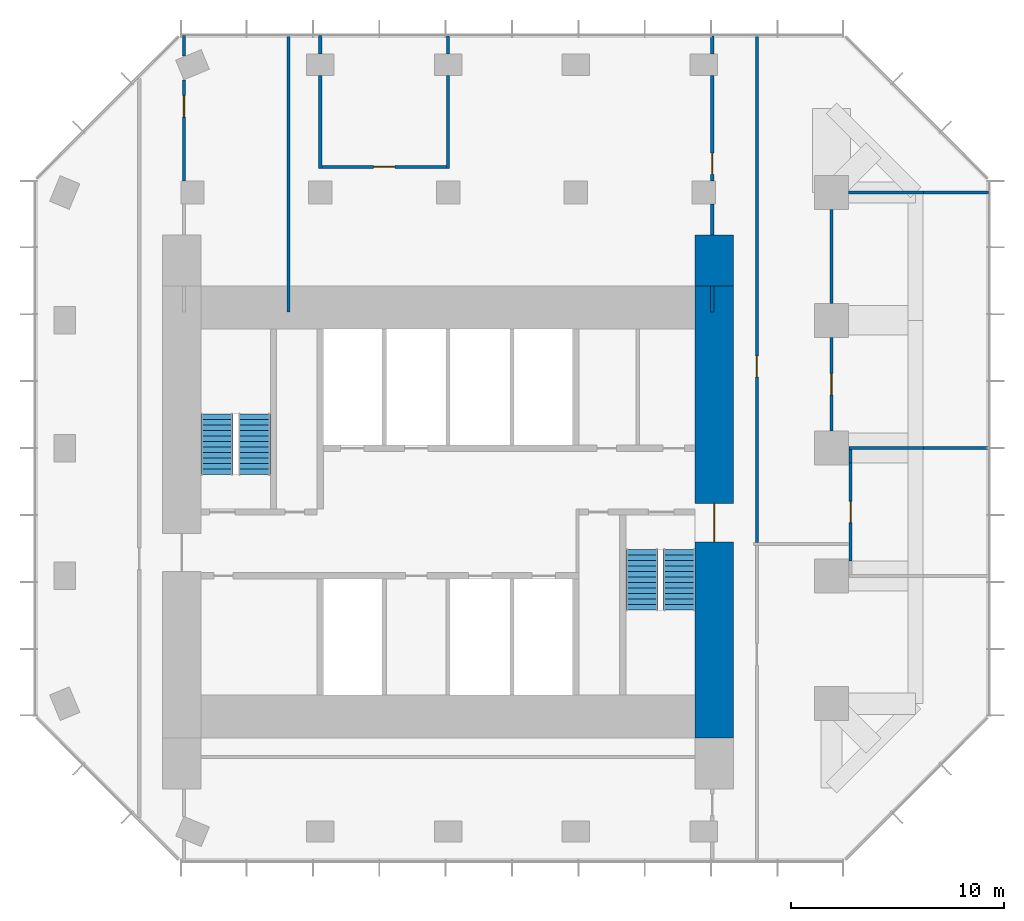
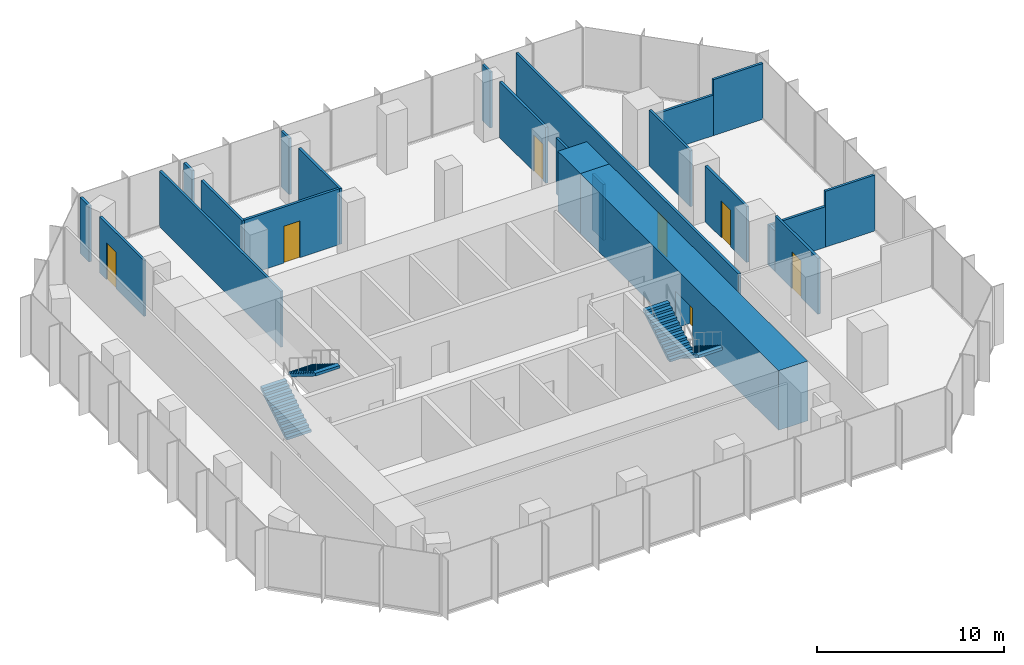
# One storey, part 9 of 10: 23 walls, 7 doors, 4 stair flights, 7 openings, 2 elements without a shape of their own.
"""IFC4 building model written with IfcOpenShell, lengths in metres."""

from ifc_helpers import new_model, si_unit, direction, frame, frame_2d, origin, place, context, subcontext, project, spatial, polyline, rectangle, outline, extrude, material, layer, layer_set, type_object, element, fill, aggregate, save


model = new_model("IFC4")

# Units and contexts
model_context = context("Model", 3, precision=1e-05, world=origin(), true_north=direction((0.0, 1.0)))
body_context = subcontext(model_context, "Body", "Model", "MODEL_VIEW")
ifc_project = project(units=[si_unit("LENGTHUNIT", "METRE"), si_unit("AREAUNIT", "SQUARE_METRE"), si_unit("VOLUMEUNIT", "CUBIC_METRE"), si_unit("PLANEANGLEUNIT", "RADIAN"), si_unit("MASSUNIT", "GRAM", prefix="KILO")], contexts=[model_context])

# Site, building, storey
site_placement = place(None, origin())
site = spatial("IfcSite", under=ifc_project, at=site_placement, CompositionType="ELEMENT")
building_placement = place(site_placement, origin())
building = spatial("IfcBuilding", under=site, at=building_placement, Name="Highveld Stack Headquarters", CompositionType="ELEMENT")
storey_placement = place(building_placement, frame((0.0, 0.0, 256.699951171875)))
storey = spatial("IfcBuildingStorey", under=building, at=storey_placement, Name="L63", CompositionType="ELEMENT", Elevation=256.699951171875)

# Wall, opening, door
ifc_material_1 = material(Name="Concrete C60/75", Category="concrete")
ifc_layer_1 = layer(ifc_material_1, 1.800048828125)
ifc_layer_set_1 = layer_set([ifc_layer_1], Name="Concrete C60/75")
wall_type_1 = type_object("IfcWallType", Name="CORE WALL 1800 C60/75", PredefinedType="SHEAR", material=ifc_layer_set_1)
wall_1_placement = place(storey_placement, frame((18.5, -7.60009765625, 0.0), z_axis=(0.0, 0.0, 1.0), x_axis=(0.0, 1.0, 0.0)))
wall_1 = element("IfcWall", 1, at=wall_1_placement, inside=storey, type_object=wall_type_1, Name="Core wall E L63", PredefinedType="SHEAR", context=body_context, shape_type="SweptSolid", body=[
    extrude(rectangle(XDim=21.2001953125, YDim=1.800048828125, at=frame_2d((10.60009765625, 0.0))), origin(), (0.0, 0.0, 1.0), 3.900146484375),
])
opening_1_placement = place(wall_1_placement, frame((9.199951171875, 0.0, 0.0)))
opening_1 = element("IfcOpeningElement", 2, at=opening_1_placement, cuts=wall_1, Name="Opening L63-02", PredefinedType="OPENING", context=body_context, shape_type="SweptSolid", body=[
    extrude(rectangle(XDim=1.800048828125, YDim=2.39990234375, at=frame_2d((0.89990234375, 1.199951171875))), frame((0.0, 0.909912109375, 0.0), z_axis=(0.0, -1.0, 0.0), x_axis=(1.0, 0.0, 0.0)), (0.0, 0.0, 1.0), 1.820068359375),
])
ifc_material_2 = material(Name="Steel fire door", Category="steel")
door_type_1 = type_object("IfcDoorType", Name="LOBBY FIRE DOOR D4 1800x2400", OperationType="DOUBLE_DOOR_SINGLE_SWING", PredefinedType="DOOR", material=ifc_material_2)
door_1_placement = place(opening_1_placement, origin())
door_1 = element("IfcDoor", 3, at=door_1_placement, inside=storey, type_object=door_type_1, Name="Core east door L63", OperationType="DOUBLE_DOOR_SINGLE_SWING", OverallHeight=2.39990234375, OverallWidth=1.800048828125, PredefinedType="DOOR", context=body_context, shape_type="SweptSolid", body=[
    extrude(rectangle(XDim=1.800048828125, YDim=2.39990234375, at=frame_2d((0.89990234375, 1.199951171875))), frame((0.0, 0.02490234375, 0.0), z_axis=(0.0, -1.0, 0.0), x_axis=(1.0, 0.0, 0.0)), (0.0, 0.0, 1.0), 0.050048828125),
])
fill(opening_1, door_1)

# Wall
ifc_material_3 = material(Name="Concrete C60/75", Category="concrete")
ifc_layer_2 = layer(ifc_material_3, 1.800048828125)
ifc_layer_set_2 = layer_set([ifc_layer_2], Name="Concrete C60/75")
wall_type_2 = type_object("IfcWallType", Name="CORE WING WALL 1800 C60/75", PredefinedType="SHEAR", material=ifc_layer_set_2)
wall_2_placement = place(storey_placement, frame((18.5, 13.60009765625, 0.0), z_axis=(0.0, 0.0, 1.0), x_axis=(0.0, 1.0, 0.0)))
element("IfcWall", 4, at=wall_2_placement, inside=storey, type_object=wall_type_2, Name="Core wing wall EN L63", PredefinedType="SHEAR", context=body_context, shape_type="SweptSolid", body=[
    extrude(rectangle(XDim=2.39990234375, YDim=1.800048828125, at=frame_2d((1.199951171875, 0.0))), origin(), (0.0, 0.0, 1.0), 3.900146484375),
])

# Wall, opening, door
ifc_material_4 = material(Name="Laminated glass in aluminium frame", Category="aluminium")
ifc_layer_3 = layer(ifc_material_4, 0.14990234375)
ifc_layer_set_3 = layer_set([ifc_layer_3], Name="Laminated glass in aluminium frame")
wall_type_3 = type_object("IfcWallType", Name="GLAZED PARTITION 150", PredefinedType="PARTITIONING", material=ifc_layer_set_3)
wall_3_placement = place(storey_placement, frame((24.0, 6.800048828125, 0.0), z_axis=(0.0, 0.0, 1.0), x_axis=(0.0, 1.0, 0.0)))
wall_3 = element("IfcWall", 5, at=wall_3_placement, inside=storey, type_object=wall_type_3, Name="Glazed partition Executive meeting room L63", PredefinedType="PARTITIONING", context=body_context, shape_type="SweptSolid", body=[
    extrude(rectangle(XDim=4.39990234375, YDim=0.14990234375, at=frame_2d((2.199951171875, 0.0))), origin(), (0.0, 0.0, 1.0), 3.650146484375),
])
opening_2_placement = place(wall_3_placement, frame((1.699951171875, 0.0, 0.0)))
opening_2 = element("IfcOpeningElement", 6, at=opening_2_placement, cuts=wall_3, Name="Opening L63-12", PredefinedType="OPENING", context=body_context, shape_type="SweptSolid", body=[
    extrude(rectangle(XDim=1.0, YDim=2.39990234375, at=frame_2d((0.5, 1.199951171875))), frame((0.0, 0.0849609375, 0.0), z_axis=(0.0, -1.0, 0.0), x_axis=(1.0, 0.0, 0.0)), (0.0, 0.0, 1.0), 0.169921875),
])
ifc_material_5 = material(Name="Timber door, oiled ash", Category="wood")
door_type_2 = type_object("IfcDoorType", Name="ROOM DOOR D11 1000x2400", OperationType="SINGLE_SWING_LEFT", PredefinedType="DOOR", material=ifc_material_5)
door_2_placement = place(opening_2_placement, origin())
door_2 = element("IfcDoor", 7, at=door_2_placement, inside=storey, type_object=door_type_2, Name="Executive meeting room door 1 L63", OperationType="SINGLE_SWING_RIGHT", OverallHeight=2.39990234375, OverallWidth=1.0, PredefinedType="DOOR", context=body_context, shape_type="SweptSolid", body=[
    extrude(rectangle(XDim=1.0, YDim=2.39990234375, at=frame_2d((0.5, 1.199951171875))), frame((0.0, 0.02490234375, 0.0), z_axis=(0.0, -1.0, 0.0), x_axis=(1.0, 0.0, 0.0)), (0.0, 0.0, 1.0), 0.050048828125),
])
fill(opening_2, door_2)

# Walls
wall_4_placement = place(storey_placement, frame((24.0, 12.800048828125, 0.0), z_axis=(0.0, 0.0, 1.0), x_axis=(0.0, 1.0, 0.0)))
element("IfcWall", 8, at=wall_4_placement, inside=storey, type_object=wall_type_3, Name="Glazed partition Executive meeting room L63", PredefinedType="PARTITIONING", context=body_context, shape_type="SweptSolid", body=[
    extrude(rectangle(XDim=4.39990234375, YDim=0.14990234375, at=frame_2d((2.199951171875, 0.0))), origin(), (0.0, 0.0, 1.0), 3.650146484375),
])
ifc_material_6 = material(Name="Gypsum plasterboard on steel studs", Category="steel")
ifc_layer_4 = layer(ifc_material_6, 0.14990234375)
ifc_layer_set_4 = layer_set([ifc_layer_4], Name="Gypsum plasterboard on steel studs")
wall_type_4 = type_object("IfcWallType", Name="PARTITION 150 PLASTERBOARD", PredefinedType="PARTITIONING", material=ifc_layer_set_4)
wall_5_placement = place(storey_placement, frame((24.824951171875, 6.0, 0.0), z_axis=(0.0, 0.0, 1.0), x_axis=(1.0, 0.0, 0.0)))
element("IfcWall", 9, at=wall_5_placement, inside=storey, type_object=wall_type_4, Name="Partition Executive meeting room / Interview room L63", PredefinedType="PARTITIONING", context=body_context, shape_type="SweptSolid", body=[
    extrude(rectangle(XDim=3.485107421875, YDim=0.14990234375, at=frame_2d((1.74267578125, 0.0))), origin(), (0.0, 0.0, 1.0), 2.650146484375),
])
wall_6_placement = place(storey_placement, frame((28.31005859375, 6.0, 0.0), z_axis=(0.0, 0.0, 1.0), x_axis=(1.0, 0.0, 0.0)))
element("IfcWall", 10, at=wall_6_placement, inside=storey, type_object=wall_type_4, Name="Partition Executive meeting room / Interview room L63", PredefinedType="PARTITIONING", context=body_context, shape_type="SweptSolid", body=[
    extrude(rectangle(XDim=3.0400390625, YDim=0.14990234375, at=frame_2d((1.52001953125, 0.0))), origin(), (0.0, 0.0, 1.0), 3.650146484375),
])
wall_7_placement = place(storey_placement, frame((24.800048828125, 18.0, 0.0), z_axis=(0.0, 0.0, 1.0), x_axis=(1.0, 0.0, 0.0)))
element("IfcWall", 11, at=wall_7_placement, inside=storey, type_object=wall_type_4, Name="Partition Executive meeting room L63", PredefinedType="PARTITIONING", context=body_context, shape_type="SweptSolid", body=[
    extrude(rectangle(XDim=3.510009765625, YDim=0.14990234375, at=frame_2d((1.7548828125, 0.0))), origin(), (0.0, 0.0, 1.0), 2.650146484375),
])
wall_8_placement = place(storey_placement, frame((28.31005859375, 18.0, 0.0), z_axis=(0.0, 0.0, 1.0), x_axis=(1.0, 0.0, 0.0)))
element("IfcWall", 12, at=wall_8_placement, inside=storey, type_object=wall_type_4, Name="Partition Executive meeting room L63", PredefinedType="PARTITIONING", context=body_context, shape_type="SweptSolid", body=[
    extrude(rectangle(XDim=3.06494140625, YDim=0.14990234375, at=frame_2d((1.532470703125, 0.0))), origin(), (0.0, 0.0, 1.0), 3.650146484375),
])

# Wall, opening, door
wall_9_placement = place(storey_placement, frame((0.074951171875, 19.199951171875, 0.0), z_axis=(0.0, 0.0, 1.0), x_axis=(1.0, 0.0, 0.0)))
wall_9 = element("IfcWall", 13, at=wall_9_placement, inside=storey, type_object=wall_type_4, Name="Partition Tea kitchen L63", PredefinedType="PARTITIONING", context=body_context, shape_type="SweptSolid", body=[
    extrude(rectangle(XDim=5.85009765625, YDim=0.14990234375, at=frame_2d((2.925048828125, 0.0))), origin(), (0.0, 0.0, 1.0), 3.650146484375),
])
opening_3_placement = place(wall_9_placement, frame((2.425048828125, 0.0, 0.0)))
opening_3 = element("IfcOpeningElement", 14, at=opening_3_placement, cuts=wall_9, Name="Opening L63-13", PredefinedType="OPENING", context=body_context, shape_type="SweptSolid", body=[
    extrude(rectangle(XDim=1.0, YDim=2.39990234375, at=frame_2d((0.5, 1.199951171875))), frame((0.0, 0.0849609375, 0.0), z_axis=(0.0, -1.0, 0.0), x_axis=(1.0, 0.0, 0.0)), (0.0, 0.0, 1.0), 0.169921875),
])
door_3_placement = place(opening_3_placement, origin())
door_3 = element("IfcDoor", 15, at=door_3_placement, inside=storey, type_object=door_type_2, Name="Tea kitchen door 1 L63", OperationType="SINGLE_SWING_LEFT", OverallHeight=2.39990234375, OverallWidth=1.0, PredefinedType="DOOR", context=body_context, shape_type="SweptSolid", body=[
    extrude(rectangle(XDim=1.0, YDim=2.39990234375, at=frame_2d((0.5, 1.199951171875))), frame((0.0, 0.02490234375, 0.0), z_axis=(0.0, -1.0, 0.0), x_axis=(1.0, 0.0, 0.0)), (0.0, 0.0, 1.0), 0.050048828125),
])
fill(opening_3, door_3)

# Walls
wall_10_placement = place(storey_placement, frame((0.0, 19.125, 0.0), z_axis=(0.0, 0.0, 1.0), x_axis=(0.0, 1.0, 0.0)))
element("IfcWall", 16, at=wall_10_placement, inside=storey, type_object=wall_type_4, Name="Partition Tea kitchen L63", PredefinedType="PARTITIONING", context=body_context, shape_type="SweptSolid", body=[
    extrude(rectangle(XDim=4.375, YDim=0.14990234375, at=frame_2d((2.1875, 0.0))), origin(), (0.0, 0.0, 1.0), 3.650146484375),
])
wall_11_placement = place(storey_placement, frame((0.0, 24.5, 0.0), z_axis=(0.0, 0.0, 1.0), x_axis=(0.0, 1.0, 0.0)))
element("IfcWall", 17, at=wall_11_placement, inside=storey, type_object=wall_type_4, Name="Partition Tea kitchen L63", PredefinedType="PARTITIONING", context=body_context, shape_type="SweptSolid", body=[
    extrude(rectangle(XDim=0.875, YDim=0.14990234375, at=frame_2d((0.4375, 0.0))), origin(), (0.0, 0.0, 1.0), 3.650146484375),
])
wall_12_placement = place(storey_placement, frame((6.0, 19.125, 0.0), z_axis=(0.0, 0.0, 1.0), x_axis=(0.0, 1.0, 0.0)))
element("IfcWall", 18, at=wall_12_placement, inside=storey, type_object=wall_type_4, Name="Partition Tea kitchen L63", PredefinedType="PARTITIONING", context=body_context, shape_type="SweptSolid", body=[
    extrude(rectangle(XDim=4.375, YDim=0.14990234375, at=frame_2d((2.1875, 0.0))), origin(), (0.0, 0.0, 1.0), 3.650146484375),
])
wall_13_placement = place(storey_placement, frame((6.0, 24.5, 0.0), z_axis=(0.0, 0.0, 1.0), x_axis=(0.0, 1.0, 0.0)))
element("IfcWall", 19, at=wall_13_placement, inside=storey, type_object=wall_type_4, Name="Partition Tea kitchen L63", PredefinedType="PARTITIONING", context=body_context, shape_type="SweptSolid", body=[
    extrude(rectangle(XDim=0.85009765625, YDim=0.14990234375, at=frame_2d((0.425048828125, 0.0))), origin(), (0.0, 0.0, 1.0), 3.650146484375),
])

# Wall, opening, door
wall_14_placement = place(storey_placement, frame((24.89990234375, 0.7099609375, 0.0), z_axis=(0.0, 0.0, 1.0), x_axis=(0.0, 1.0, 0.0)))
wall_14 = element("IfcWall", 20, at=wall_14_placement, inside=storey, type_object=wall_type_4, Name="Partition Interview room L63", PredefinedType="PARTITIONING", context=body_context, shape_type="SweptSolid", body=[
    extrude(rectangle(XDim=4.580078125, YDim=0.14990234375, at=frame_2d((2.2900390625, 0.0))), origin(), (0.0, 0.0, 1.0), 3.650146484375),
])
opening_4_placement = place(wall_14_placement, frame((1.7900390625, 0.0, 0.0)))
opening_4 = element("IfcOpeningElement", 21, at=opening_4_placement, cuts=wall_14, Name="Opening L63-11", PredefinedType="OPENING", context=body_context, shape_type="SweptSolid", body=[
    extrude(rectangle(XDim=1.0, YDim=2.39990234375, at=frame_2d((0.5, 1.199951171875))), frame((0.0, 0.0849609375, 0.0), z_axis=(0.0, -1.0, 0.0), x_axis=(1.0, 0.0, 0.0)), (0.0, 0.0, 1.0), 0.169921875),
])
door_4_placement = place(opening_4_placement, origin())
door_4 = element("IfcDoor", 22, at=door_4_placement, inside=storey, type_object=door_type_2, Name="Interview room door 1 L63", OperationType="SINGLE_SWING_RIGHT", OverallHeight=2.39990234375, OverallWidth=1.0, PredefinedType="DOOR", context=body_context, shape_type="SweptSolid", body=[
    extrude(rectangle(XDim=1.0, YDim=2.39990234375, at=frame_2d((0.5, 1.199951171875))), frame((0.0, 0.02490234375, 0.0), z_axis=(0.0, -1.0, 0.0), x_axis=(1.0, 0.0, 0.0)), (0.0, 0.0, 1.0), 0.050048828125),
])
fill(opening_4, door_4)

# Wall
wall_15_placement = place(storey_placement, frame((24.89990234375, 5.2900390625, 0.0), z_axis=(0.0, 0.0, 1.0), x_axis=(0.0, 1.0, 0.0)))
element("IfcWall", 23, at=wall_15_placement, inside=storey, type_object=wall_type_4, Name="Partition Interview room L63", PredefinedType="PARTITIONING", context=body_context, shape_type="SweptSolid", body=[
    extrude(rectangle(XDim=0.635009765625, YDim=0.14990234375, at=frame_2d((0.3173828125, 0.0))), origin(), (0.0, 0.0, 1.0), 2.650146484375),
])

# Wall, opening, door
wall_16_placement = place(storey_placement, frame((-6.39990234375, 18.550048828125, 0.0), z_axis=(0.0, 0.0, 1.0), x_axis=(0.0, 1.0, 0.0)))
wall_16 = element("IfcWall", 24, at=wall_16_placement, inside=storey, type_object=wall_type_4, Name="Partition office neighbourhood L63", PredefinedType="PARTITIONING", context=body_context, shape_type="SweptSolid", body=[
    extrude(rectangle(XDim=4.7392578125, YDim=0.14990234375, at=frame_2d((2.36962890625, 0.0))), origin(), (0.0, 0.0, 1.0), 3.650146484375),
])
opening_5_placement = place(wall_16_placement, frame((2.9951171875, 0.0, 0.0)))
opening_5 = element("IfcOpeningElement", 25, at=opening_5_placement, cuts=wall_16, Name="Opening L63-18", PredefinedType="OPENING", context=body_context, shape_type="SweptSolid", body=[
    extrude(rectangle(XDim=1.0, YDim=2.39990234375, at=frame_2d((0.5, 1.199951171875))), frame((0.0, 0.0849609375, 0.0), z_axis=(0.0, -1.0, 0.0), x_axis=(1.0, 0.0, 0.0)), (0.0, 0.0, 1.0), 0.169921875),
])
door_5_placement = place(opening_5_placement, origin())
door_5 = element("IfcDoor", 26, at=door_5_placement, inside=storey, type_object=door_type_2, Name="Office neighbourhood door L63", OperationType="SINGLE_SWING_RIGHT", OverallHeight=2.39990234375, OverallWidth=1.0, PredefinedType="DOOR", context=body_context, shape_type="SweptSolid", body=[
    extrude(rectangle(XDim=1.0, YDim=2.39990234375, at=frame_2d((0.5, 1.199951171875))), frame((0.0, 0.02490234375, 0.0), z_axis=(0.0, -1.0, 0.0), x_axis=(1.0, 0.0, 0.0)), (0.0, 0.0, 1.0), 0.050048828125),
])
fill(opening_5, door_5)

# Walls
wall_17_placement = place(storey_placement, frame((-6.39990234375, 24.406494140625, 0.0), z_axis=(0.0, 0.0, 1.0), x_axis=(0.0, 1.0, 0.0)))
element("IfcWall", 27, at=wall_17_placement, inside=storey, type_object=wall_type_4, Name="Partition office neighbourhood L63", PredefinedType="PARTITIONING", context=body_context, shape_type="SweptSolid", body=[
    extrude(rectangle(XDim=0.968505859375, YDim=0.14990234375, at=frame_2d((0.484375, 0.0))), origin(), (0.0, 0.0, 1.0), 3.650146484375),
])
wall_18_placement = place(storey_placement, frame((-1.5, 12.39990234375, 0.0), z_axis=(0.0, 0.0, 1.0), x_axis=(0.0, 1.0, 0.0)))
element("IfcWall", 28, at=wall_18_placement, inside=storey, type_object=wall_type_4, Name="Partition office neighbourhood L63", PredefinedType="PARTITIONING", context=body_context, shape_type="SweptSolid", body=[
    extrude(rectangle(XDim=12.97509765625, YDim=0.14990234375, at=frame_2d((6.487548828125, 0.0))), origin(), (0.0, 0.0, 1.0), 3.650146484375),
])
wall_19_placement = place(storey_placement, frame((18.39990234375, 12.39990234375, 0.0), z_axis=(0.0, 0.0, 1.0), x_axis=(0.0, 1.0, 0.0)))
element("IfcWall", 29, at=wall_19_placement, inside=storey, type_object=wall_type_4, Name="Partition office neighbourhood L63", PredefinedType="PARTITIONING", context=body_context, shape_type="SweptSolid", body=[
    extrude(rectangle(XDim=1.2001953125, YDim=0.14990234375, at=frame_2d((0.60009765625, 0.0))), origin(), (0.0, 0.0, 1.0), 3.650146484375),
])
wall_20_placement = place(storey_placement, frame((18.39990234375, 16.0, 0.0), z_axis=(0.0, 0.0, 1.0), x_axis=(0.0, 1.0, 0.0)))
element("IfcWall", 30, at=wall_20_placement, inside=storey, type_object=wall_type_4, Name="Partition office neighbourhood L63", PredefinedType="PARTITIONING", context=body_context, shape_type="SweptSolid", body=[
    extrude(rectangle(XDim=1.449951171875, YDim=0.14990234375, at=frame_2d((0.72509765625, 0.0))), origin(), (0.0, 0.0, 1.0), 3.650146484375),
])

# Wall, opening, door
wall_21_placement = place(storey_placement, frame((18.39990234375, 18.550048828125, 0.0), z_axis=(0.0, 0.0, 1.0), x_axis=(0.0, 1.0, 0.0)))
wall_21 = element("IfcWall", 31, at=wall_21_placement, inside=storey, type_object=wall_type_4, Name="Partition office neighbourhood L63", PredefinedType="PARTITIONING", context=body_context, shape_type="SweptSolid", body=[
    extrude(rectangle(XDim=4.949951171875, YDim=0.14990234375, at=frame_2d((2.47509765625, 0.0))), origin(), (0.0, 0.0, 1.0), 3.650146484375),
])
opening_6_placement = place(wall_21_placement, frame((0.300048828125, 0.0, 0.0)))
opening_6 = element("IfcOpeningElement", 32, at=opening_6_placement, cuts=wall_21, Name="Opening L63-17", PredefinedType="OPENING", context=body_context, shape_type="SweptSolid", body=[
    extrude(rectangle(XDim=1.0, YDim=2.39990234375, at=frame_2d((0.5, 1.199951171875))), frame((0.0, 0.0849609375, 0.0), z_axis=(0.0, -1.0, 0.0), x_axis=(1.0, 0.0, 0.0)), (0.0, 0.0, 1.0), 0.169921875),
])
door_6_placement = place(opening_6_placement, origin())
door_6 = element("IfcDoor", 33, at=door_6_placement, inside=storey, type_object=door_type_2, Name="Office neighbourhood door L63", OperationType="SINGLE_SWING_LEFT", OverallHeight=2.39990234375, OverallWidth=1.0, PredefinedType="DOOR", context=body_context, shape_type="SweptSolid", body=[
    extrude(rectangle(XDim=1.0, YDim=2.39990234375, at=frame_2d((0.5, 1.199951171875))), frame((0.0, 0.02490234375, 0.0), z_axis=(0.0, -1.0, 0.0), x_axis=(1.0, 0.0, 0.0)), (0.0, 0.0, 1.0), 0.050048828125),
])
fill(opening_6, door_6)

# Wall
wall_22_placement = place(storey_placement, frame((18.39990234375, 24.5, 0.0), z_axis=(0.0, 0.0, 1.0), x_axis=(0.0, 1.0, 0.0)))
element("IfcWall", 34, at=wall_22_placement, inside=storey, type_object=wall_type_4, Name="Partition office neighbourhood L63", PredefinedType="PARTITIONING", context=body_context, shape_type="SweptSolid", body=[
    extrude(rectangle(XDim=0.85009765625, YDim=0.14990234375, at=frame_2d((0.425048828125, 0.0))), origin(), (0.0, 0.0, 1.0), 3.650146484375),
])

# Wall, opening, door
wall_23_placement = place(storey_placement, frame((20.5, 1.574951171875, 0.0), z_axis=(0.0, 0.0, 1.0), x_axis=(0.0, 1.0, 0.0)))
wall_23 = element("IfcWall", 35, at=wall_23_placement, inside=storey, type_object=wall_type_4, Name="Partition office neighbourhood L63", PredefinedType="PARTITIONING", context=body_context, shape_type="SweptSolid", body=[
    extrude(rectangle(XDim=23.800048828125, YDim=0.14990234375, at=frame_2d((11.89990234375, 0.0))), origin(), (0.0, 0.0, 1.0), 3.650146484375),
])
opening_7_placement = place(wall_23_placement, frame((7.7548828125, 0.0, 0.0)))
opening_7 = element("IfcOpeningElement", 36, at=opening_7_placement, cuts=wall_23, Name="Opening L63-16", PredefinedType="OPENING", context=body_context, shape_type="SweptSolid", body=[
    extrude(rectangle(XDim=1.0, YDim=2.39990234375, at=frame_2d((0.5, 1.199951171875))), frame((0.0, 0.0849609375, 0.0), z_axis=(0.0, -1.0, 0.0), x_axis=(1.0, 0.0, 0.0)), (0.0, 0.0, 1.0), 0.169921875),
])
door_7_placement = place(opening_7_placement, origin())
door_7 = element("IfcDoor", 37, at=door_7_placement, inside=storey, type_object=door_type_2, Name="Office neighbourhood door L63", OperationType="SINGLE_SWING_LEFT", OverallHeight=2.39990234375, OverallWidth=1.0, PredefinedType="DOOR", context=body_context, shape_type="SweptSolid", body=[
    extrude(rectangle(XDim=1.0, YDim=2.39990234375, at=frame_2d((0.5, 1.199951171875))), frame((0.0, 0.02490234375, 0.0), z_axis=(0.0, -1.0, 0.0), x_axis=(1.0, 0.0, 0.0)), (0.0, 0.0, 1.0), 0.050048828125),
])
fill(opening_7, door_7)

# Stair, stair flights
ifc_material_7 = material(Name="Concrete C40/50, precast", Category="concrete")
stair_type_1 = type_object("IfcStairType", Name="STAIR S1 HALF TURN 1500", PredefinedType="HALF_TURN_STAIR", material=ifc_material_7)
stair_1_placement = place(storey_placement, origin())
stair_1 = element("IfcStair", 38, at=stair_1_placement, inside=storey, type_object=stair_type_1, Name="Stair S1 L63", PredefinedType="HALF_TURN_STAIR")
ifc_material_8 = material(Name="Concrete C40/50, precast", Category="concrete")
stair_flight_type = type_object("IfcStairFlightType", Name="STAIR FLIGHT 1500 PRECAST", PredefinedType="STRAIGHT", material=ifc_material_8)
stair_flight_1_placement = place(storey_placement, frame((-4.85009765625, 4.75, 0.0), z_axis=(0.0, 0.0, 1.0), x_axis=(0.0, 1.0, 0.0)))
stair_flight_1 = element("IfcStairFlight", 39, at=stair_flight_1_placement, type_object=stair_flight_type, Name="S1 flight 1", NumberOfRisers=12, NumberOfTreads=11, PredefinedType="STRAIGHT", RiserHeight=0.1625, TreadLength=0.26, context=body_context, shape_type="SweptSolid", body=[
    extrude(outline(polyline([(0.0, 0.0), (0.0, 0.16259765625), (0.260009765625, 0.16259765625), (0.260009765625, 0.324951171875), (0.52001953125, 0.324951171875), (0.52001953125, 0.487548828125), (0.780029296875, 0.487548828125), (0.780029296875, 0.64990234375), (1.0400390625, 0.64990234375), (1.0400390625, 0.8125), (1.300048828125, 0.8125), (1.300048828125, 0.97509765625), (1.56005859375, 0.97509765625), (1.56005859375, 1.137451171875), (1.820068359375, 1.137451171875), (1.820068359375, 1.300048828125), (2.080078125, 1.300048828125), (2.080078125, 1.46240234375), (2.340087890625, 1.46240234375), (2.340087890625, 1.625), (2.60009765625, 1.625), (2.60009765625, 1.78759765625), (2.860107421875, 1.78759765625), (2.860107421875, 1.949951171875), (2.860107421875, 1.61083984375), (0.28271484375, 0.0), (0.0, 0.0)])), frame((0.0, 0.75, 0.0), z_axis=(0.0, -1.0, 0.0), x_axis=(1.0, 0.0, 0.0)), (0.0, 0.0, 1.0), 1.5),
])
stair_flight_2_placement = place(storey_placement, frame((-3.10009765625, 7.610107421875, 1.949951171875), z_axis=(0.0, 0.0, 1.0), x_axis=(0.0, -1.0, 0.0)))
stair_flight_2 = element("IfcStairFlight", 40, at=stair_flight_2_placement, type_object=stair_flight_type, Name="S1 flight 2", NumberOfRisers=12, NumberOfTreads=11, PredefinedType="STRAIGHT", RiserHeight=0.1625, TreadLength=0.26, context=body_context, shape_type="SweptSolid", body=[
    extrude(outline(polyline([(0.0, 0.0), (0.0, 0.16259765625), (0.260009765625, 0.16259765625), (0.260009765625, 0.324951171875), (0.52001953125, 0.324951171875), (0.52001953125, 0.487548828125), (0.780029296875, 0.487548828125), (0.780029296875, 0.64990234375), (1.0400390625, 0.64990234375), (1.0400390625, 0.8125), (1.300048828125, 0.8125), (1.300048828125, 0.97509765625), (1.56005859375, 0.97509765625), (1.56005859375, 1.137451171875), (1.820068359375, 1.137451171875), (1.820068359375, 1.300048828125), (2.080078125, 1.300048828125), (2.080078125, 1.46240234375), (2.340087890625, 1.46240234375), (2.340087890625, 1.625), (2.60009765625, 1.625), (2.60009765625, 1.78759765625), (2.860107421875, 1.78759765625), (2.860107421875, 1.949951171875), (2.860107421875, 1.61083984375), (0.28271484375, 0.0), (0.0, 0.0)])), frame((0.0, 0.75, 0.0), z_axis=(0.0, -1.0, 0.0), x_axis=(1.0, 0.0, 0.0)), (0.0, 0.0, 1.0), 1.5),
])
aggregate(stair_1, [stair_flight_1, stair_flight_2])

ifc_material_9 = material(Name="Concrete C40/50, precast", Category="concrete")
stair_type_2 = type_object("IfcStairType", Name="STAIR S2 HALF TURN 1500", PredefinedType="HALF_TURN_STAIR", material=ifc_material_9)
stair_2_placement = place(storey_placement, origin())
stair_2 = element("IfcStair", 41, at=stair_2_placement, inside=storey, type_object=stair_type_2, Name="Stair S2 L63", PredefinedType="HALF_TURN_STAIR")
stair_flight_3_placement = place(storey_placement, frame((16.85009765625, 1.25, 0.0), z_axis=(0.0, 0.0, 1.0), x_axis=(0.0, -1.0, 0.0)))
stair_flight_3 = element("IfcStairFlight", 42, at=stair_flight_3_placement, type_object=stair_flight_type, Name="S2 flight 1", NumberOfRisers=12, NumberOfTreads=11, PredefinedType="STRAIGHT", RiserHeight=0.1625, TreadLength=0.26, context=body_context, shape_type="SweptSolid", body=[
    extrude(outline(polyline([(0.0, 0.0), (0.0, 0.16259765625), (0.260009765625, 0.16259765625), (0.260009765625, 0.324951171875), (0.52001953125, 0.324951171875), (0.52001953125, 0.487548828125), (0.780029296875, 0.487548828125), (0.780029296875, 0.64990234375), (1.0400390625, 0.64990234375), (1.0400390625, 0.8125), (1.300048828125, 0.8125), (1.300048828125, 0.97509765625), (1.56005859375, 0.97509765625), (1.56005859375, 1.137451171875), (1.820068359375, 1.137451171875), (1.820068359375, 1.300048828125), (2.080078125, 1.300048828125), (2.080078125, 1.46240234375), (2.340087890625, 1.46240234375), (2.340087890625, 1.625), (2.60009765625, 1.625), (2.60009765625, 1.78759765625), (2.860107421875, 1.78759765625), (2.860107421875, 1.949951171875), (2.860107421875, 1.61083984375), (0.28271484375, 0.0), (0.0, 0.0)])), frame((0.0, 0.75, 0.0), z_axis=(0.0, -1.0, 0.0), x_axis=(1.0, 0.0, 0.0)), (0.0, 0.0, 1.0), 1.5),
])
stair_flight_4_placement = place(storey_placement, frame((15.10009765625, -1.610107421875, 1.949951171875), z_axis=(0.0, 0.0, 1.0), x_axis=(0.0, 1.0, 0.0)))
stair_flight_4 = element("IfcStairFlight", 43, at=stair_flight_4_placement, type_object=stair_flight_type, Name="S2 flight 2", NumberOfRisers=12, NumberOfTreads=11, PredefinedType="STRAIGHT", RiserHeight=0.1625, TreadLength=0.26, context=body_context, shape_type="SweptSolid", body=[
    extrude(outline(polyline([(0.0, 0.0), (0.0, 0.16259765625), (0.260009765625, 0.16259765625), (0.260009765625, 0.324951171875), (0.52001953125, 0.324951171875), (0.52001953125, 0.487548828125), (0.780029296875, 0.487548828125), (0.780029296875, 0.64990234375), (1.0400390625, 0.64990234375), (1.0400390625, 0.8125), (1.300048828125, 0.8125), (1.300048828125, 0.97509765625), (1.56005859375, 0.97509765625), (1.56005859375, 1.137451171875), (1.820068359375, 1.137451171875), (1.820068359375, 1.300048828125), (2.080078125, 1.300048828125), (2.080078125, 1.46240234375), (2.340087890625, 1.46240234375), (2.340087890625, 1.625), (2.60009765625, 1.625), (2.60009765625, 1.78759765625), (2.860107421875, 1.78759765625), (2.860107421875, 1.949951171875), (2.860107421875, 1.61083984375), (0.28271484375, 0.0), (0.0, 0.0)])), frame((0.0, 0.75, 0.0), z_axis=(0.0, -1.0, 0.0), x_axis=(1.0, 0.0, 0.0)), (0.0, 0.0, 1.0), 1.5),
])
aggregate(stair_2, [stair_flight_3, stair_flight_4])

save(model, "model.ifc")
